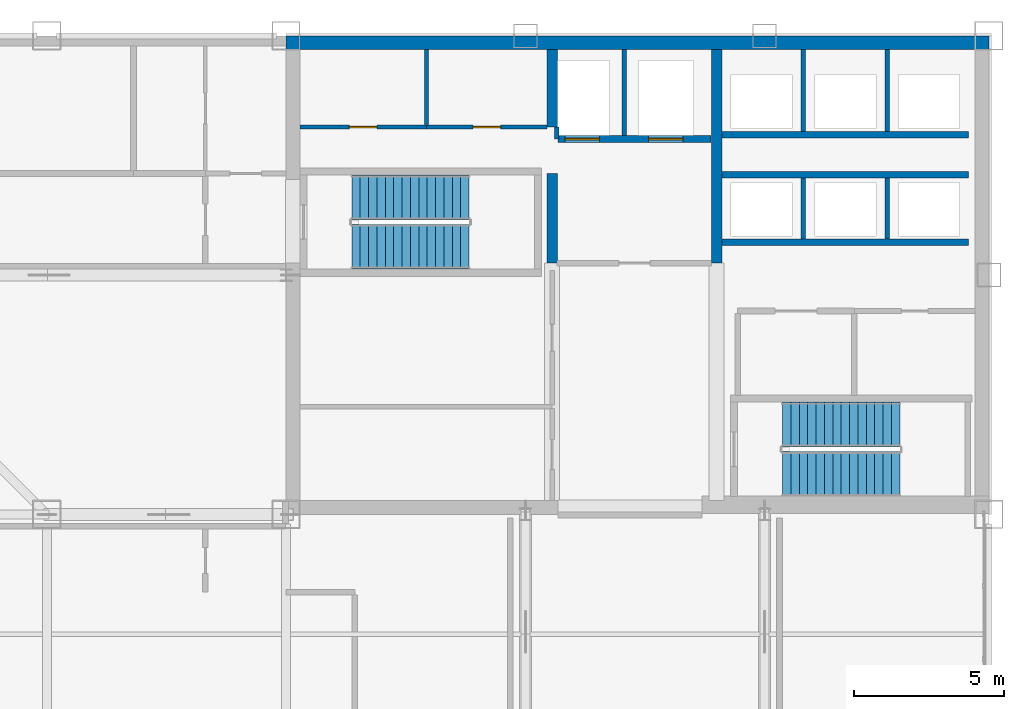
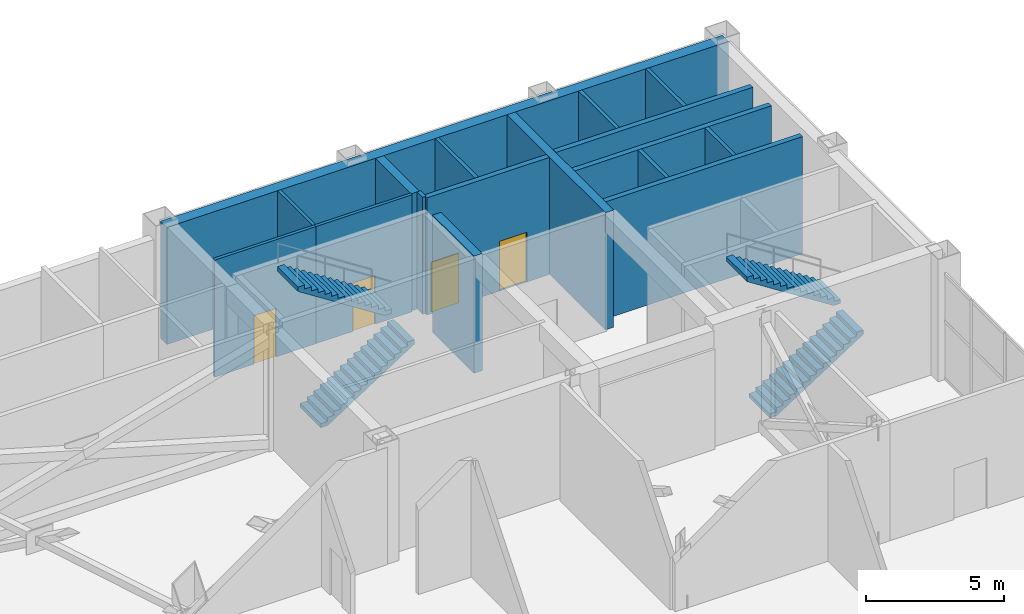
# One storey, part 19 of 23: 17 walls, 4 doors, 4 stair flights, 4 openings, 2 elements without a shape of their own.
"""IFC4 building model written with IfcOpenShell, lengths in metres."""

from ifc_helpers import new_model, si_unit, direction, frame, frame_2d, origin, place, context, subcontext, project, spatial, polyline, rectangle, outline, extrude, material, layer, layer_set, type_object, element, fill, aggregate, save


model = new_model("IFC4")

# Units and contexts
model_context = context("Model", 3, precision=1e-05, world=origin(), true_north=direction((0.0, 1.0)))
body_context = subcontext(model_context, "Body", "Model", "MODEL_VIEW")
ifc_project = project(units=[si_unit("LENGTHUNIT", "METRE"), si_unit("AREAUNIT", "SQUARE_METRE"), si_unit("VOLUMEUNIT", "CUBIC_METRE"), si_unit("PLANEANGLEUNIT", "RADIAN"), si_unit("MASSUNIT", "GRAM", prefix="KILO")], contexts=[model_context])

# Site, building, storey
site_placement = place(None, origin())
site = spatial("IfcSite", under=ifc_project, at=site_placement, CompositionType="ELEMENT")
building_placement = place(site_placement, origin())
building = spatial("IfcBuilding", under=site, at=building_placement, Name="Qianrong Seaharbour Tower", CompositionType="ELEMENT")
storey_placement = place(building_placement, frame((0.0, 0.0, 281.800048828125)))
storey = spatial("IfcBuildingStorey", under=building, at=storey_placement, Name="L68", CompositionType="ELEMENT", Elevation=281.800048828125)

# Walls
ifc_material_1 = material(Name="Concrete C60/75", Category="concrete")
ifc_layer_1 = layer(ifc_material_1, 0.4599609375)
ifc_layer_set_1 = layer_set([ifc_layer_1], Name="Concrete C60/75")
wall_type_1 = type_object("IfcWallType", Name="WALL-CORE-460", PredefinedType="SHEAR", material=ifc_layer_set_1)
wall_1_placement = place(storey_placement, frame((40.5, 51.77001953125, 0.0), z_axis=(0.0, 0.0, 1.0), x_axis=(1.0, 0.0, 0.0)))
element("IfcWall", 1, at=wall_1_placement, inside=storey, type_object=wall_type_1, Name="L68 North Core Shear Wall", PredefinedType="SHEAR", context=body_context, shape_type="SweptSolid", body=[
    extrude(rectangle(XDim=23.5, YDim=0.4599609375, at=frame_2d((11.75, 0.0))), origin(), (0.0, 0.0, 1.0), 5.18505859375),
])
ifc_material_2 = material(Name="Concrete C50/60", Category="concrete")
ifc_layer_2 = layer(ifc_material_2, 0.35009765625)
ifc_layer_set_2 = layer_set([ifc_layer_2], Name="Concrete C50/60")
wall_type_2 = type_object("IfcWallType", Name="WALL-CORE-INT-350", PredefinedType="SHEAR", material=ifc_layer_set_2)
wall_2_placement = place(storey_placement, frame((49.39990234375, 44.39990234375, 0.0), z_axis=(0.0, 0.0, 1.0), x_axis=(0.0, 1.0, 0.0)))
element("IfcWall", 2, at=wall_2_placement, inside=storey, type_object=wall_type_2, Name="L68 Internal Core Shear Wall IW1N1", PredefinedType="SHEAR", context=body_context, shape_type="SweptSolid", body=[
    extrude(rectangle(XDim=3.0, YDim=0.35009765625, at=frame_2d((1.5, 0.0))), origin(), (0.0, 0.0, 1.0), 5.18505859375),
])
wall_3_placement = place(storey_placement, frame((49.39990234375, 48.949951171875, 0.0), z_axis=(0.0, 0.0, 1.0), x_axis=(0.0, 1.0, 0.0)))
element("IfcWall", 3, at=wall_3_placement, inside=storey, type_object=wall_type_2, Name="L68 Internal Core Shear Wall IW1N2", PredefinedType="SHEAR", context=body_context, shape_type="SweptSolid", body=[
    extrude(rectangle(XDim=2.590087890625, YDim=0.35009765625, at=frame_2d((1.294921875, 0.0))), origin(), (0.0, 0.0, 1.0), 5.18505859375),
])
wall_4_placement = place(storey_placement, frame((54.89990234375, 44.39990234375, 0.0), z_axis=(0.0, 0.0, 1.0), x_axis=(0.0, 1.0, 0.0)))
element("IfcWall", 4, at=wall_4_placement, inside=storey, type_object=wall_type_2, Name="L68 Internal Core Shear Wall IW2N", PredefinedType="SHEAR", context=body_context, shape_type="SweptSolid", body=[
    extrude(rectangle(XDim=7.14013671875, YDim=0.35009765625, at=frame_2d((3.570068359375, 0.0))), origin(), (0.0, 0.0, 1.0), 5.18505859375),
])
ifc_material_3 = material(Name="Fire-rated gypsum board on steel studs", Category="steel")
ifc_layer_3 = layer(ifc_material_3, 0.14990234375)
ifc_layer_set_3 = layer_set([ifc_layer_3], Name="Fire-rated gypsum board on steel studs")
wall_type_3 = type_object("IfcWallType", Name="WALL-SHAFT-DIV-150", PredefinedType="PARTITIONING", material=ifc_layer_set_3)
wall_5_placement = place(storey_placement, frame((51.800048828125, 48.669921875, 0.0), z_axis=(0.0, 0.0, 1.0), x_axis=(0.0, 1.0, 0.0)))
element("IfcWall", 5, at=wall_5_placement, inside=storey, type_object=wall_type_3, Name="L68 Firefighting Lift Shaft Divider Wall", PredefinedType="PARTITIONING", context=body_context, shape_type="SweptSolid", body=[
    extrude(rectangle(XDim=2.8701171875, YDim=0.14990234375, at=frame_2d((1.43505859375, 0.0))), origin(), (0.0, 0.0, 1.0), 5.18505859375),
])
wall_6_placement = place(storey_placement, frame((49.550048828125, 48.550048828125, 0.0), z_axis=(0.0, 0.0, 1.0), x_axis=(0.0, 1.0, 0.0)))
element("IfcWall", 6, at=wall_6_placement, inside=storey, type_object=wall_type_3, Name="L68 Firefighting Lift Shaft West Return Wall", PredefinedType="PARTITIONING", context=body_context, shape_type="SweptSolid", body=[
    extrude(rectangle(XDim=0.39990234375, YDim=0.14990234375, at=frame_2d((0.199951171875, 0.0))), origin(), (0.0, 0.0, 1.0), 5.18505859375),
])
for number, where, z_axis, x_axis, name in (
    (7, (57.800048828125, 45.2099609375, 0.0), (0.0, 0.0, 1.0), (0.0, 1.0, 0.0), "L68 P3 Lift Hoistway Divider 2"),
    (8, (60.60009765625, 45.2099609375, 0.0), (0.0, 0.0, 1.0), (0.0, 1.0, 0.0), "L68 P3 Lift Hoistway Divider 3"),
):
    element("IfcWall", number, at=place(storey_placement, frame(where, z_axis=z_axis, x_axis=x_axis)), inside=storey, type_object=wall_type_3, Name=name, PredefinedType="PARTITIONING", context=body_context, shape_type="SweptSolid", body=[
        extrude(rectangle(XDim=2.030029296875, YDim=0.14990234375, at=frame_2d((1.01513671875, 0.0))), origin(), (0.0, 0.0, 1.0), 5.18505859375),
    ])
for number, where, z_axis, x_axis, name in (
    (9, (57.800048828125, 48.81005859375, 0.0), (0.0, 0.0, 1.0), (0.0, 1.0, 0.0), "L68 P4 Lift Hoistway Divider 2"),
    (10, (60.60009765625, 48.81005859375, 0.0), (0.0, 0.0, 1.0), (0.0, 1.0, 0.0), "L68 P4 Lift Hoistway Divider 3"),
):
    element("IfcWall", number, at=place(storey_placement, frame(where, z_axis=z_axis, x_axis=x_axis)), inside=storey, type_object=wall_type_3, Name=name, PredefinedType="PARTITIONING", context=body_context, shape_type="SweptSolid", body=[
        extrude(rectangle(XDim=2.72998046875, YDim=0.14990234375, at=frame_2d((1.364990234375, 0.0))), origin(), (0.0, 0.0, 1.0), 5.18505859375),
    ])

# Wall, openings, doors
ifc_layer_4 = layer(ifc_material_3, 0.219970703125)
ifc_layer_set_4 = layer_set([ifc_layer_4], Name="Fire-rated gypsum board on steel studs")
wall_type_4 = type_object("IfcWallType", Name="WALL-SHAFT-GYP220", PredefinedType="PARTITIONING", material=ifc_layer_set_4)
wall_7_placement = place(storey_placement, frame((54.7099609375, 48.550048828125, 0.0), z_axis=(0.0, 0.0, 1.0), x_axis=(-1.0, 0.0, 0.0)))
wall_7 = element("IfcWall", 11, at=wall_7_placement, inside=storey, type_object=wall_type_4, Name="L68 Firefighting Lift Shaft Front Wall", PredefinedType="PARTITIONING", context=body_context, shape_type="SweptSolid", body=[
    extrude(rectangle(XDim=5.119873046875, YDim=0.219970703125, at=frame_2d((2.56005859375, 0.0))), origin(), (0.0, 0.0, 1.0), 5.18505859375),
])
opening_1_placement = place(wall_7_placement, frame((3.735107421875, 0.0, 0.0)))
opening_1 = element("IfcOpeningElement", 12, at=opening_1_placement, cuts=wall_7, Name="Opening LD-01", PredefinedType="OPENING", context=body_context, shape_type="SweptSolid", body=[
    extrude(rectangle(XDim=1.14990234375, YDim=2.199951171875, at=frame_2d((0.574951171875, 1.10009765625))), frame((0.0, 0.1201171875, 0.0), z_axis=(0.0, -1.0, 0.0), x_axis=(1.0, 0.0, 0.0)), (0.0, 0.0, 1.0), 0.239990234375),
])
opening_2_placement = place(wall_7_placement, frame((0.93505859375, 0.0, 0.0)))
opening_2 = element("IfcOpeningElement", 13, at=opening_2_placement, cuts=wall_7, Name="Opening LD-01", PredefinedType="OPENING", context=body_context, shape_type="SweptSolid", body=[
    extrude(rectangle(XDim=1.14990234375, YDim=2.199951171875, at=frame_2d((0.574951171875, 1.10009765625))), frame((0.0, 0.1201171875, 0.0), z_axis=(0.0, -1.0, 0.0), x_axis=(1.0, 0.0, 0.0)), (0.0, 0.0, 1.0), 0.239990234375),
])
ifc_material_4 = material(Name="Stainless steel SUS316L bi-parting lift landing door", Category="steel")
door_type_1 = type_object("IfcDoorType", Name="DOOR-LIFT-FF-1150x2200", OperationType="DOUBLE_DOOR_SLIDING", PredefinedType="DOOR", material=ifc_material_4)
door_1_placement = place(opening_1_placement, origin())
door_1 = element("IfcDoor", 14, at=door_1_placement, inside=storey, type_object=door_type_1, Name="L68 FL-1 Firefighting Lift Landing Door", OperationType="DOUBLE_DOOR_SLIDING", OverallHeight=2.199951171875, OverallWidth=1.14990234375, PredefinedType="DOOR", context=body_context, shape_type="SweptSolid", body=[
    extrude(rectangle(XDim=1.14990234375, YDim=2.199951171875, at=frame_2d((0.574951171875, 1.10009765625))), frame((0.0, 0.02490234375, 0.0), z_axis=(0.0, -1.0, 0.0), x_axis=(1.0, 0.0, 0.0)), (0.0, 0.0, 1.0), 0.050048828125),
])
fill(opening_1, door_1)
door_2_placement = place(opening_2_placement, origin())
door_2 = element("IfcDoor", 15, at=door_2_placement, inside=storey, type_object=door_type_1, Name="L68 FL-2 Firefighting Lift Landing Door", OperationType="DOUBLE_DOOR_SLIDING", OverallHeight=2.199951171875, OverallWidth=1.14990234375, PredefinedType="DOOR", context=body_context, shape_type="SweptSolid", body=[
    extrude(rectangle(XDim=1.14990234375, YDim=2.199951171875, at=frame_2d((0.574951171875, 1.10009765625))), frame((0.0, 0.02490234375, 0.0), z_axis=(0.0, -1.0, 0.0), x_axis=(1.0, 0.0, 0.0)), (0.0, 0.0, 1.0), 0.050048828125),
])
fill(opening_2, door_2)

# Walls
for number, where, z_axis, x_axis, name in (
    (16, (63.320068359375, 45.10009765625, 0.0), (0.0, 0.0, 1.0), (-1.0, 0.0, 0.0), "L68 P3 Lift Hoistway Front Wall"),
    (17, (55.080078125, 47.35009765625, 0.0), (0.0, 0.0, 1.0), (1.0, 0.0, 0.0), "L68 P3 Lift Hoistway Back Wall"),
    (18, (63.320068359375, 48.699951171875, 0.0), (0.0, 0.0, 1.0), (-1.0, 0.0, 0.0), "L68 P4 Lift Hoistway Front Wall"),
):
    element("IfcWall", number, at=place(storey_placement, frame(where, z_axis=z_axis, x_axis=x_axis)), inside=storey, type_object=wall_type_4, Name=name, PredefinedType="PARTITIONING", context=body_context, shape_type="SweptSolid", body=[
        extrude(rectangle(XDim=8.239990234375, YDim=0.219970703125, at=frame_2d((4.1201171875, 0.0))), origin(), (0.0, 0.0, 1.0), 5.18505859375),
    ])

# Wall, opening, door
ifc_material_5 = material(Name="Water-resistant cement board sanitary partition")
ifc_layer_5 = layer(ifc_material_5, 0.1298828125)
ifc_layer_set_5 = layer_set([ifc_layer_5], Name="Water-resistant cement board sanitary partition")
wall_type_5 = type_object("IfcWallType", Name="WALL-WET-PART-130", PredefinedType="PARTITIONING", material=ifc_layer_set_5)
wall_8_placement = place(storey_placement, frame((40.9599609375, 48.949951171875, 0.0), z_axis=(0.0, 0.0, 1.0), x_axis=(1.0, 0.0, 0.0)))
wall_8 = element("IfcWall", 19, at=wall_8_placement, inside=storey, type_object=wall_type_5, Name="L68 Interior Partition Wall 006", PredefinedType="PARTITIONING", context=body_context, shape_type="SweptSolid", body=[
    extrude(rectangle(XDim=4.239990234375, YDim=0.1298828125, at=frame_2d((2.1201171875, 0.0))), origin(), (0.0, 0.0, 1.0), 5.18505859375),
])
opening_3_placement = place(wall_8_placement, frame((1.659912109375, 0.0, 0.0)))
opening_3 = element("IfcOpeningElement", 20, at=opening_3_placement, cuts=wall_8, Name="Opening DW-01", PredefinedType="OPENING", context=body_context, shape_type="SweptSolid", body=[
    extrude(rectangle(XDim=0.919921875, YDim=2.14990234375, at=frame_2d((0.4599609375, 1.074951171875))), frame((0.0, 0.074951171875, 0.0), z_axis=(0.0, -1.0, 0.0), x_axis=(1.0, 0.0, 0.0)), (0.0, 0.0, 1.0), 0.14990234375),
])
ifc_material_6 = material(Name="Acoustic timber and galvanized steel fire door assembly", Category="steel")
door_type_2 = type_object("IfcDoorType", Name="DOOR-WC-920x2150", OperationType="NOTDEFINED", PredefinedType="DOOR", material=ifc_material_6)
door_3_placement = place(opening_3_placement, origin())
door_3 = element("IfcDoor", 21, at=door_3_placement, inside=storey, type_object=door_type_2, Name="L68 Male Restroom WC Door", OperationType="SINGLE_SWING_LEFT", OverallHeight=2.14990234375, OverallWidth=0.919921875, PredefinedType="DOOR", context=body_context, shape_type="SweptSolid", body=[
    extrude(rectangle(XDim=0.919921875, YDim=2.14990234375, at=frame_2d((0.4599609375, 1.074951171875))), frame((0.0, 0.02490234375, 0.0), z_axis=(0.0, -1.0, 0.0), x_axis=(1.0, 0.0, 0.0)), (0.0, 0.0, 1.0), 0.050048828125),
])
fill(opening_3, door_3)

wall_9_placement = place(storey_placement, frame((45.199951171875, 48.949951171875, 0.0), z_axis=(0.0, 0.0, 1.0), x_axis=(1.0, 0.0, 0.0)))
wall_9 = element("IfcWall", 22, at=wall_9_placement, inside=storey, type_object=wall_type_5, Name="L68 Interior Partition Wall 007", PredefinedType="PARTITIONING", context=body_context, shape_type="SweptSolid", body=[
    extrude(rectangle(XDim=4.032958984375, YDim=0.1298828125, at=frame_2d((2.0166015625, 0.0))), origin(), (0.0, 0.0, 1.0), 5.18505859375),
])
opening_4_placement = place(wall_9_placement, frame((1.556396484375, 0.0, 0.0)))
opening_4 = element("IfcOpeningElement", 23, at=opening_4_placement, cuts=wall_9, Name="Opening DW-01", PredefinedType="OPENING", context=body_context, shape_type="SweptSolid", body=[
    extrude(rectangle(XDim=0.919921875, YDim=2.14990234375, at=frame_2d((0.4599609375, 1.074951171875))), frame((0.0, 0.074951171875, 0.0), z_axis=(0.0, -1.0, 0.0), x_axis=(1.0, 0.0, 0.0)), (0.0, 0.0, 1.0), 0.14990234375),
])
door_4_placement = place(opening_4_placement, origin())
door_4 = element("IfcDoor", 24, at=door_4_placement, inside=storey, type_object=door_type_2, Name="L68 Female Restroom WC Door", OperationType="SINGLE_SWING_RIGHT", OverallHeight=2.14990234375, OverallWidth=0.919921875, PredefinedType="DOOR", context=body_context, shape_type="SweptSolid", body=[
    extrude(rectangle(XDim=0.919921875, YDim=2.14990234375, at=frame_2d((0.4599609375, 1.074951171875))), frame((0.0, 0.02490234375, 0.0), z_axis=(0.0, -1.0, 0.0), x_axis=(1.0, 0.0, 0.0)), (0.0, 0.0, 1.0), 0.050048828125),
])
fill(opening_4, door_4)

# Wall
wall_10_placement = place(storey_placement, frame((45.199951171875, 51.5400390625, 0.0), z_axis=(0.0, 0.0, 1.0), x_axis=(0.0, -1.0, 0.0)))
element("IfcWall", 25, at=wall_10_placement, inside=storey, type_object=wall_type_5, Name="L68 Interior Partition Wall 015", PredefinedType="PARTITIONING", context=body_context, shape_type="SweptSolid", body=[
    extrude(rectangle(XDim=2.532958984375, YDim=0.1298828125, at=frame_2d((1.2666015625, 0.0))), origin(), (0.0, 0.0, 1.0), 5.18505859375),
])

# Stair, stair flights
stair_type = type_object("IfcStairType", Name="STAIR-DOGLEG-1500-R30", PredefinedType="HALF_TURN_STAIR", material=ifc_material_2)
stair_1_placement = place(storey_placement, origin())
stair_1 = element("IfcStair", 26, at=stair_1_placement, inside=storey, type_object=stair_type, Name="L68 Protected Escape Stair ST-1", PredefinedType="HALF_TURN_STAIR")
stair_flight_type = type_object("IfcStairFlightType", Name="FLIGHT-STR-1500-R30", PredefinedType="STRAIGHT", material=ifc_material_2)
stair_flight_1_placement = place(storey_placement, frame((42.699951171875, 44.949951171875, 0.0), z_axis=(0.0, 0.0, 1.0), x_axis=(1.0, 0.0, 0.0)))
stair_flight_1 = element("IfcStairFlight", 27, at=stair_flight_1_placement, type_object=stair_flight_type, Name="ST-1 flight 1", NumberOfRisers=15, NumberOfTreads=14, PredefinedType="STRAIGHT", RiserHeight=0.18, TreadLength=0.28, context=body_context, shape_type="SweptSolid", body=[
    extrude(outline(polyline([(0.0, 0.0), (0.0, 0.179931640625), (0.280029296875, 0.179931640625), (0.280029296875, 0.360107421875), (0.56005859375, 0.360107421875), (0.56005859375, 0.5400390625), (0.840087890625, 0.5400390625), (0.840087890625, 0.719970703125), (1.1201171875, 0.719970703125), (1.1201171875, 0.89990234375), (1.39990234375, 0.89990234375), (1.39990234375, 1.080078125), (1.679931640625, 1.080078125), (1.679931640625, 1.260009765625), (1.9599609375, 1.260009765625), (1.9599609375, 1.43994140625), (2.239990234375, 1.43994140625), (2.239990234375, 1.6201171875), (2.52001953125, 1.6201171875), (2.52001953125, 1.800048828125), (2.800048828125, 1.800048828125), (2.800048828125, 1.97998046875), (3.080078125, 1.97998046875), (3.080078125, 2.159912109375), (3.360107421875, 2.159912109375), (3.360107421875, 2.340087890625), (3.639892578125, 2.340087890625), (3.639892578125, 2.52001953125), (3.919921875, 2.52001953125), (3.919921875, 2.699951171875), (3.919921875, 2.329833984375), (0.295654296875, 0.0), (0.0, 0.0)])), frame((0.0, 0.75, 0.0), z_axis=(0.0, -1.0, 0.0), x_axis=(1.0, 0.0, 0.0)), (0.0, 0.0, 1.0), 1.5),
])
stair_flight_2_placement = place(storey_placement, frame((46.6201171875, 46.60009765625, 2.699951171875), z_axis=(0.0, 0.0, 1.0), x_axis=(-1.0, 0.0, 0.0)))
stair_flight_2 = element("IfcStairFlight", 28, at=stair_flight_2_placement, type_object=stair_flight_type, Name="ST-1 flight 2", NumberOfRisers=15, NumberOfTreads=14, PredefinedType="STRAIGHT", RiserHeight=0.18, TreadLength=0.28, context=body_context, shape_type="SweptSolid", body=[
    extrude(outline(polyline([(0.0, 0.0), (0.0, 0.179931640625), (0.280029296875, 0.179931640625), (0.280029296875, 0.360107421875), (0.56005859375, 0.360107421875), (0.56005859375, 0.5400390625), (0.840087890625, 0.5400390625), (0.840087890625, 0.719970703125), (1.1201171875, 0.719970703125), (1.1201171875, 0.89990234375), (1.39990234375, 0.89990234375), (1.39990234375, 1.080078125), (1.679931640625, 1.080078125), (1.679931640625, 1.260009765625), (1.9599609375, 1.260009765625), (1.9599609375, 1.43994140625), (2.239990234375, 1.43994140625), (2.239990234375, 1.6201171875), (2.52001953125, 1.6201171875), (2.52001953125, 1.800048828125), (2.800048828125, 1.800048828125), (2.800048828125, 1.97998046875), (3.080078125, 1.97998046875), (3.080078125, 2.159912109375), (3.360107421875, 2.159912109375), (3.360107421875, 2.340087890625), (3.639892578125, 2.340087890625), (3.639892578125, 2.52001953125), (3.919921875, 2.52001953125), (3.919921875, 2.699951171875), (3.919921875, 2.329833984375), (0.295654296875, 0.0), (0.0, 0.0)])), frame((0.0, 0.75, 0.0), z_axis=(0.0, -1.0, 0.0), x_axis=(1.0, 0.0, 0.0)), (0.0, 0.0, 1.0), 1.5),
])
aggregate(stair_1, [stair_flight_1, stair_flight_2])

stair_2_placement = place(storey_placement, origin())
stair_2 = element("IfcStair", 29, at=stair_2_placement, inside=storey, type_object=stair_type, Name="L68 Protected Escape Stair ST-2", PredefinedType="HALF_TURN_STAIR")
stair_flight_3_placement = place(storey_placement, frame((57.10009765625, 37.35009765625, 0.0), z_axis=(0.0, 0.0, 1.0), x_axis=(1.0, 0.0, 0.0)))
stair_flight_3 = element("IfcStairFlight", 30, at=stair_flight_3_placement, type_object=stair_flight_type, Name="ST-2 flight 1", NumberOfRisers=15, NumberOfTreads=14, PredefinedType="STRAIGHT", RiserHeight=0.18, TreadLength=0.28, context=body_context, shape_type="SweptSolid", body=[
    extrude(outline(polyline([(0.0, 0.0), (0.0, 0.179931640625), (0.280029296875, 0.179931640625), (0.280029296875, 0.360107421875), (0.56005859375, 0.360107421875), (0.56005859375, 0.5400390625), (0.840087890625, 0.5400390625), (0.840087890625, 0.719970703125), (1.1201171875, 0.719970703125), (1.1201171875, 0.89990234375), (1.39990234375, 0.89990234375), (1.39990234375, 1.080078125), (1.679931640625, 1.080078125), (1.679931640625, 1.260009765625), (1.9599609375, 1.260009765625), (1.9599609375, 1.43994140625), (2.239990234375, 1.43994140625), (2.239990234375, 1.6201171875), (2.52001953125, 1.6201171875), (2.52001953125, 1.800048828125), (2.800048828125, 1.800048828125), (2.800048828125, 1.97998046875), (3.080078125, 1.97998046875), (3.080078125, 2.159912109375), (3.360107421875, 2.159912109375), (3.360107421875, 2.340087890625), (3.639892578125, 2.340087890625), (3.639892578125, 2.52001953125), (3.919921875, 2.52001953125), (3.919921875, 2.699951171875), (3.919921875, 2.329833984375), (0.295654296875, 0.0), (0.0, 0.0)])), frame((0.0, 0.75, 0.0), z_axis=(0.0, -1.0, 0.0), x_axis=(1.0, 0.0, 0.0)), (0.0, 0.0, 1.0), 1.5),
])
stair_flight_4_placement = place(storey_placement, frame((61.02001953125, 39.0, 2.699951171875), z_axis=(0.0, 0.0, 1.0), x_axis=(-1.0, 0.0, 0.0)))
stair_flight_4 = element("IfcStairFlight", 31, at=stair_flight_4_placement, type_object=stair_flight_type, Name="ST-2 flight 2", NumberOfRisers=15, NumberOfTreads=14, PredefinedType="STRAIGHT", RiserHeight=0.18, TreadLength=0.28, context=body_context, shape_type="SweptSolid", body=[
    extrude(outline(polyline([(0.0, 0.0), (0.0, 0.179931640625), (0.280029296875, 0.179931640625), (0.280029296875, 0.360107421875), (0.56005859375, 0.360107421875), (0.56005859375, 0.5400390625), (0.840087890625, 0.5400390625), (0.840087890625, 0.719970703125), (1.1201171875, 0.719970703125), (1.1201171875, 0.89990234375), (1.39990234375, 0.89990234375), (1.39990234375, 1.080078125), (1.679931640625, 1.080078125), (1.679931640625, 1.260009765625), (1.9599609375, 1.260009765625), (1.9599609375, 1.43994140625), (2.239990234375, 1.43994140625), (2.239990234375, 1.6201171875), (2.52001953125, 1.6201171875), (2.52001953125, 1.800048828125), (2.800048828125, 1.800048828125), (2.800048828125, 1.97998046875), (3.080078125, 1.97998046875), (3.080078125, 2.159912109375), (3.360107421875, 2.159912109375), (3.360107421875, 2.340087890625), (3.639892578125, 2.340087890625), (3.639892578125, 2.52001953125), (3.919921875, 2.52001953125), (3.919921875, 2.699951171875), (3.919921875, 2.329833984375), (0.295654296875, 0.0), (0.0, 0.0)])), frame((0.0, 0.75, 0.0), z_axis=(0.0, -1.0, 0.0), x_axis=(1.0, 0.0, 0.0)), (0.0, 0.0, 1.0), 1.5),
])
aggregate(stair_2, [stair_flight_3, stair_flight_4])

save(model, "model.ifc")
